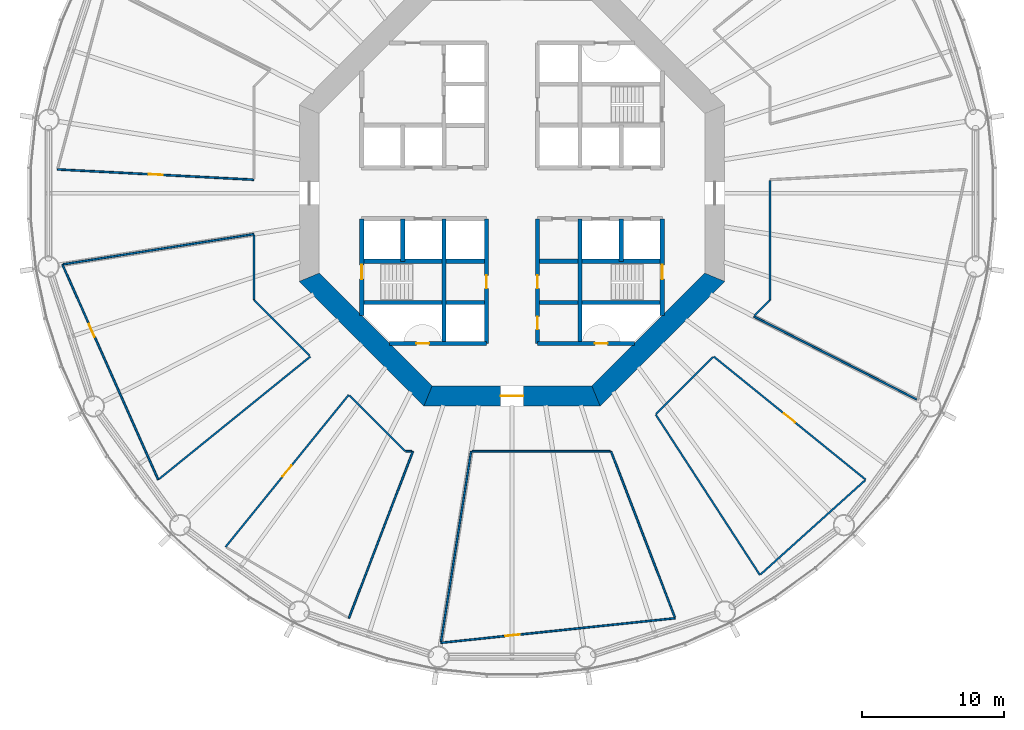
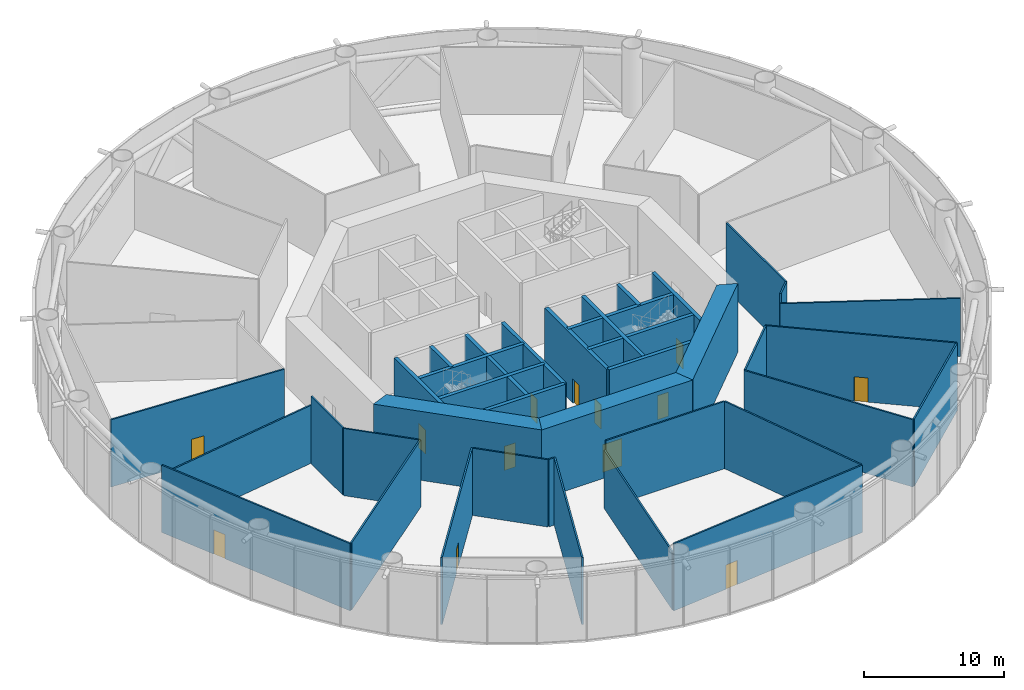
# One storey, part 4 of 14: 38 walls, 13 doors, 13 openings.
"""IFC4 building model written with IfcOpenShell, lengths in metres."""

from ifc_helpers import new_model, si_unit, direction, frame, frame_2d, origin, place, context, subcontext, project, spatial, polyline, rectangle, outline, extrude, material, layer, layer_set, type_object, element, fill, save


model = new_model("IFC4")

# Units and contexts
model_context = context("Model", 3, precision=1e-05, world=origin(), true_north=direction((0.0, 1.0)))
body_context = subcontext(model_context, "Body", "Model", "MODEL_VIEW")
ifc_project = project(units=[si_unit("LENGTHUNIT", "METRE"), si_unit("AREAUNIT", "SQUARE_METRE"), si_unit("VOLUMEUNIT", "CUBIC_METRE"), si_unit("PLANEANGLEUNIT", "RADIAN"), si_unit("MASSUNIT", "GRAM", prefix="KILO")], contexts=[model_context])

# Site, building, storey
site_placement = place(None, origin())
site = spatial("IfcSite", under=ifc_project, at=site_placement, CompositionType="ELEMENT")
building_placement = place(site_placement, origin())
building = spatial("IfcBuilding", under=site, at=building_placement, Name="Entoto Ring Tower", CompositionType="ELEMENT")
storey_placement = place(building_placement, frame((0.0, 0.0, 12.0)))
storey = spatial("IfcBuildingStorey", under=building, at=storey_placement, Name="L01", CompositionType="ELEMENT", Elevation=12.0)

# Wall, opening, door
ifc_material_1 = material(Name="Concrete C40/50", Category="concrete")
ifc_layer_1 = layer(ifc_material_1, 0.300048828125)
ifc_layer_set_1 = layer_set([ifc_layer_1], Name="Concrete C40/50")
wall_type_1 = type_object("IfcWallType", Name="Core enclosure wall 300 mm reinforced concrete", PredefinedType="SOLIDWALL", material=ifc_layer_set_1)
wall_1_placement = place(storey_placement, frame((100.60009765625, 71.36669921875, 0.0), z_axis=(0.0, 0.0, 1.0), x_axis=(0.0, 1.0, 0.0)))
wall_1 = element("IfcWall", 1, at=wall_1_placement, inside=storey, type_object=wall_type_1, Name="wall-L01-001", PredefinedType="SOLIDWALL", context=body_context, shape_type="SweptSolid", body=[
    extrude(rectangle(XDim=6.833251953125, YDim=0.300048828125, at=frame_2d((3.41650390625, 0.0))), origin(), (0.0, 0.0, 1.0), 5.85009765625),
])
opening_1_placement = place(wall_1_placement, frame((2.583251953125, 0.0, 0.0)))
opening_1 = element("IfcOpeningElement", 2, at=opening_1_placement, cuts=wall_1, Name="Opening K-61", PredefinedType="OPENING", context=body_context, shape_type="SweptSolid", body=[
    extrude(rectangle(XDim=1.0, YDim=2.10009765625, at=frame_2d((0.5, 1.050048828125))), frame((0.0, 0.16015625, 0.0), z_axis=(0.0, -1.0, 0.0), x_axis=(1.0, 0.0, 0.0)), (0.0, 0.0, 1.0), 0.320068359375),
])
ifc_material_2 = material(Name="Steel door leaf, fire rated", Category="steel")
ifc_layer_2 = layer(ifc_material_2, 0.050048828125)
ifc_layer_set_2 = layer_set([ifc_layer_2], Name="Steel door leaf, fire rated")
door_type_1 = type_object("IfcDoorType", Name="Fire door FD60 1000 x 2100 single leaf", OperationType="NOTDEFINED", PredefinedType="DOOR", material=ifc_layer_set_2)
door_1_placement = place(opening_1_placement, origin())
door_1 = element("IfcDoor", 3, at=door_1_placement, inside=storey, type_object=door_type_1, Name="Door K-61", OperationType="SINGLE_SWING_RIGHT", OverallHeight=2.10009765625, OverallWidth=1.0, PredefinedType="DOOR", context=body_context, shape_type="SweptSolid", body=[
    extrude(rectangle(XDim=1.0, YDim=2.10009765625, at=frame_2d((0.5, 1.050048828125))), frame((0.0, 0.02490234375, 0.0), z_axis=(0.0, -1.0, 0.0), x_axis=(1.0, 0.0, 0.0)), (0.0, 0.0, 1.0), 0.050048828125),
])
fill(opening_1, door_1)

# Walls
wall_2_placement = place(storey_placement, frame((97.699951171875, 75.199951171875, 0.0), z_axis=(0.0, 0.0, 1.0), x_axis=(0.0, 1.0, 0.0)))
element("IfcWall", 4, at=wall_2_placement, inside=storey, type_object=wall_type_1, Name="wall-L01-003", PredefinedType="SOLIDWALL", context=body_context, shape_type="SweptSolid", body=[
    extrude(rectangle(XDim=3.0, YDim=0.300048828125, at=frame_2d((1.5, 0.0))), origin(), (0.0, 0.0, 1.0), 5.85009765625),
])
wall_3_placement = place(storey_placement, frame((94.800048828125, 69.39990234375, 0.0), z_axis=(0.0, 0.0, 1.0), x_axis=(0.0, 1.0, 0.0)))
element("IfcWall", 5, at=wall_3_placement, inside=storey, type_object=wall_type_1, Name="wall-L01-005", PredefinedType="SOLIDWALL", context=body_context, shape_type="SweptSolid", body=[
    extrude(rectangle(XDim=8.800048828125, YDim=0.300048828125, at=frame_2d((4.39990234375, 0.0))), origin(), (0.0, 0.0, 1.0), 5.85009765625),
])

# Wall, openings, doors
wall_4_placement = place(storey_placement, frame((91.800048828125, 69.39990234375, 0.0), z_axis=(0.0, 0.0, 1.0), x_axis=(0.0, 1.0, 0.0)))
wall_4 = element("IfcWall", 6, at=wall_4_placement, inside=storey, type_object=wall_type_1, Name="wall-L01-007", PredefinedType="SOLIDWALL", context=body_context, shape_type="SweptSolid", body=[
    extrude(rectangle(XDim=8.800048828125, YDim=0.300048828125, at=frame_2d((4.39990234375, 0.0))), origin(), (0.0, 0.0, 1.0), 5.85009765625),
])
opening_2_placement = place(wall_4_placement, frame((3.89990234375, 0.0, 0.0)))
opening_2 = element("IfcOpeningElement", 7, at=opening_2_placement, cuts=wall_4, Name="Opening K-12", PredefinedType="OPENING", context=body_context, shape_type="SweptSolid", body=[
    extrude(rectangle(XDim=0.89990234375, YDim=2.10009765625, at=frame_2d((0.449951171875, 1.050048828125))), frame((0.0, 0.16015625, 0.0), z_axis=(0.0, -1.0, 0.0), x_axis=(1.0, 0.0, 0.0)), (0.0, 0.0, 1.0), 0.320068359375),
])
opening_3_placement = place(wall_4_placement, frame((1.0, 0.0, 0.0)))
opening_3 = element("IfcOpeningElement", 8, at=opening_3_placement, cuts=wall_4, Name="Opening K-46", PredefinedType="OPENING", context=body_context, shape_type="SweptSolid", body=[
    extrude(rectangle(XDim=0.89990234375, YDim=2.10009765625, at=frame_2d((0.449951171875, 1.050048828125))), frame((0.0, 0.16015625, 0.0), z_axis=(0.0, -1.0, 0.0), x_axis=(1.0, 0.0, 0.0)), (0.0, 0.0, 1.0), 0.320068359375),
])
ifc_material_3 = material(Name="Steel door leaf, fire rated", Category="steel")
ifc_layer_3 = layer(ifc_material_3, 0.050048828125)
ifc_layer_set_3 = layer_set([ifc_layer_3], Name="Steel door leaf, fire rated")
door_type_2 = type_object("IfcDoorType", Name="Core door 900 x 2100 single leaf", OperationType="NOTDEFINED", PredefinedType="DOOR", material=ifc_layer_set_3)
door_2_placement = place(opening_2_placement, frame((0.89990234375, 0.0, 0.0), z_axis=(0.0, 0.0, 1.0), x_axis=(-1.0, 0.0, 0.0)))
door_2 = element("IfcDoor", 9, at=door_2_placement, inside=storey, type_object=door_type_2, Name="Door K-12", OperationType="SINGLE_SWING_LEFT", OverallHeight=2.10009765625, OverallWidth=0.89990234375, PredefinedType="DOOR", context=body_context, shape_type="SweptSolid", body=[
    extrude(rectangle(XDim=0.89990234375, YDim=2.10009765625, at=frame_2d((0.449951171875, 1.050048828125))), frame((0.0, 0.02490234375, 0.0), z_axis=(0.0, -1.0, 0.0), x_axis=(1.0, 0.0, 0.0)), (0.0, 0.0, 1.0), 0.050048828125),
])
fill(opening_2, door_2)
door_3_placement = place(opening_3_placement, frame((0.89990234375, 0.0, 0.0), z_axis=(0.0, 0.0, 1.0), x_axis=(-1.0, 0.0, 0.0)))
door_3 = element("IfcDoor", 10, at=door_3_placement, inside=storey, type_object=door_type_2, Name="Door K-46", OperationType="SINGLE_SWING_LEFT", OverallHeight=2.10009765625, OverallWidth=0.89990234375, PredefinedType="DOOR", context=body_context, shape_type="SweptSolid", body=[
    extrude(rectangle(XDim=0.89990234375, YDim=2.10009765625, at=frame_2d((0.449951171875, 1.050048828125))), frame((0.0, 0.02490234375, 0.0), z_axis=(0.0, -1.0, 0.0), x_axis=(1.0, 0.0, 0.0)), (0.0, 0.0, 1.0), 0.050048828125),
])
fill(opening_3, door_3)

# Wall, opening, door
wall_5_placement = place(storey_placement, frame((88.199951171875, 69.39990234375, 0.0), z_axis=(0.0, 0.0, 1.0), x_axis=(0.0, 1.0, 0.0)))
wall_5 = element("IfcWall", 11, at=wall_5_placement, inside=storey, type_object=wall_type_1, Name="wall-L01-009", PredefinedType="SOLIDWALL", context=body_context, shape_type="SweptSolid", body=[
    extrude(rectangle(XDim=8.800048828125, YDim=0.300048828125, at=frame_2d((4.39990234375, 0.0))), origin(), (0.0, 0.0, 1.0), 5.85009765625),
])
opening_4_placement = place(wall_5_placement, frame((3.89990234375, 0.0, 0.0)))
opening_4 = element("IfcOpeningElement", 12, at=opening_4_placement, cuts=wall_5, Name="Opening K-14", PredefinedType="OPENING", context=body_context, shape_type="SweptSolid", body=[
    extrude(rectangle(XDim=0.89990234375, YDim=2.10009765625, at=frame_2d((0.449951171875, 1.050048828125))), frame((0.0, 0.16015625, 0.0), z_axis=(0.0, -1.0, 0.0), x_axis=(1.0, 0.0, 0.0)), (0.0, 0.0, 1.0), 0.320068359375),
])
door_4_placement = place(opening_4_placement, origin())
door_4 = element("IfcDoor", 13, at=door_4_placement, inside=storey, type_object=door_type_2, Name="Door K-14", OperationType="SINGLE_SWING_RIGHT", OverallHeight=2.10009765625, OverallWidth=0.89990234375, PredefinedType="DOOR", context=body_context, shape_type="SweptSolid", body=[
    extrude(rectangle(XDim=0.89990234375, YDim=2.10009765625, at=frame_2d((0.449951171875, 1.050048828125))), frame((0.0, 0.02490234375, 0.0), z_axis=(0.0, -1.0, 0.0), x_axis=(1.0, 0.0, 0.0)), (0.0, 0.0, 1.0), 0.050048828125),
])
fill(opening_4, door_4)

# Walls
wall_6_placement = place(storey_placement, frame((85.199951171875, 69.39990234375, 0.0), z_axis=(0.0, 0.0, 1.0), x_axis=(0.0, 1.0, 0.0)))
element("IfcWall", 14, at=wall_6_placement, inside=storey, type_object=wall_type_1, Name="wall-L01-011", PredefinedType="SOLIDWALL", context=body_context, shape_type="SweptSolid", body=[
    extrude(rectangle(XDim=8.800048828125, YDim=0.300048828125, at=frame_2d((4.39990234375, 0.0))), origin(), (0.0, 0.0, 1.0), 5.85009765625),
])
wall_7_placement = place(storey_placement, frame((82.300048828125, 75.199951171875, 0.0), z_axis=(0.0, 0.0, 1.0), x_axis=(0.0, 1.0, 0.0)))
element("IfcWall", 15, at=wall_7_placement, inside=storey, type_object=wall_type_1, Name="wall-L01-013", PredefinedType="SOLIDWALL", context=body_context, shape_type="SweptSolid", body=[
    extrude(rectangle(XDim=3.0, YDim=0.300048828125, at=frame_2d((1.5, 0.0))), origin(), (0.0, 0.0, 1.0), 5.85009765625),
])

# Wall, opening, door
wall_8_placement = place(storey_placement, frame((79.39990234375, 71.36669921875, 0.0), z_axis=(0.0, 0.0, 1.0), x_axis=(0.0, 1.0, 0.0)))
wall_8 = element("IfcWall", 16, at=wall_8_placement, inside=storey, type_object=wall_type_1, Name="wall-L01-015", PredefinedType="SOLIDWALL", context=body_context, shape_type="SweptSolid", body=[
    extrude(rectangle(XDim=6.833251953125, YDim=0.300048828125, at=frame_2d((3.41650390625, 0.0))), origin(), (0.0, 0.0, 1.0), 5.85009765625),
])
opening_5_placement = place(wall_8_placement, frame((2.583251953125, 0.0, 0.0)))
opening_5 = element("IfcOpeningElement", 17, at=opening_5_placement, cuts=wall_8, Name="Opening K-59", PredefinedType="OPENING", context=body_context, shape_type="SweptSolid", body=[
    extrude(rectangle(XDim=1.0, YDim=2.10009765625, at=frame_2d((0.5, 1.050048828125))), frame((0.0, 0.16015625, 0.0), z_axis=(0.0, -1.0, 0.0), x_axis=(1.0, 0.0, 0.0)), (0.0, 0.0, 1.0), 0.320068359375),
])
door_5_placement = place(opening_5_placement, frame((1.0, 0.0, 0.0), z_axis=(0.0, 0.0, 1.0), x_axis=(-1.0, 0.0, 0.0)))
door_5 = element("IfcDoor", 18, at=door_5_placement, inside=storey, type_object=door_type_1, Name="Door K-59", OperationType="SINGLE_SWING_LEFT", OverallHeight=2.10009765625, OverallWidth=1.0, PredefinedType="DOOR", context=body_context, shape_type="SweptSolid", body=[
    extrude(rectangle(XDim=1.0, YDim=2.10009765625, at=frame_2d((0.5, 1.050048828125))), frame((0.0, 0.02490234375, 0.0), z_axis=(0.0, -1.0, 0.0), x_axis=(1.0, 0.0, 0.0)), (0.0, 0.0, 1.0), 0.050048828125),
])
fill(opening_5, door_5)

wall_9_placement = place(storey_placement, frame((81.36669921875, 69.39990234375, 0.0), z_axis=(0.0, 0.0, 1.0), x_axis=(1.0, 0.0, 0.0)))
wall_9 = element("IfcWall", 19, at=wall_9_placement, inside=storey, type_object=wall_type_1, Name="wall-L01-017", PredefinedType="SOLIDWALL", context=body_context, shape_type="SweptSolid", body=[
    extrude(rectangle(XDim=6.833251953125, YDim=0.300048828125, at=frame_2d((3.41650390625, 0.0))), origin(), (0.0, 0.0, 1.0), 5.85009765625),
])
opening_6_placement = place(wall_9_placement, frame((1.88330078125, 0.0, 0.0)))
opening_6 = element("IfcOpeningElement", 20, at=opening_6_placement, cuts=wall_9, Name="Opening K-66", PredefinedType="OPENING", context=body_context, shape_type="SweptSolid", body=[
    extrude(rectangle(XDim=0.89990234375, YDim=2.10009765625, at=frame_2d((0.449951171875, 1.050048828125))), frame((0.0, 0.16015625, 0.0), z_axis=(0.0, -1.0, 0.0), x_axis=(1.0, 0.0, 0.0)), (0.0, 0.0, 1.0), 0.320068359375),
])
ifc_material_4 = material(Name="Steel door leaf, fire rated", Category="steel")
ifc_layer_4 = layer(ifc_material_4, 0.050048828125)
ifc_layer_set_4 = layer_set([ifc_layer_4], Name="Steel door leaf, fire rated")
door_type_3 = type_object("IfcDoorType", Name="Riser door FD60 900 x 2100 single leaf", OperationType="NOTDEFINED", PredefinedType="DOOR", material=ifc_layer_set_4)
door_6_placement = place(opening_6_placement, origin())
door_6 = element("IfcDoor", 21, at=door_6_placement, inside=storey, type_object=door_type_3, Name="Door K-66", OperationType="SINGLE_SWING_RIGHT", OverallHeight=2.10009765625, OverallWidth=0.89990234375, PredefinedType="DOOR", context=body_context, shape_type="SweptSolid", body=[
    extrude(rectangle(XDim=0.89990234375, YDim=2.10009765625, at=frame_2d((0.449951171875, 1.050048828125))), frame((0.0, 0.02490234375, 0.0), z_axis=(0.0, -1.0, 0.0), x_axis=(1.0, 0.0, 0.0)), (0.0, 0.0, 1.0), 0.050048828125),
])
fill(opening_6, door_6)

wall_10_placement = place(storey_placement, frame((91.800048828125, 69.39990234375, 0.0), z_axis=(0.0, 0.0, 1.0), x_axis=(1.0, 0.0, 0.0)))
wall_10 = element("IfcWall", 22, at=wall_10_placement, inside=storey, type_object=wall_type_1, Name="wall-L01-018", PredefinedType="SOLIDWALL", context=body_context, shape_type="SweptSolid", body=[
    extrude(rectangle(XDim=6.833251953125, YDim=0.300048828125, at=frame_2d((3.41650390625, 0.0))), origin(), (0.0, 0.0, 1.0), 5.85009765625),
])
opening_7_placement = place(wall_10_placement, frame((4.050048828125, 0.0, 0.0)))
opening_7 = element("IfcOpeningElement", 23, at=opening_7_placement, cuts=wall_10, Name="Opening K-68", PredefinedType="OPENING", context=body_context, shape_type="SweptSolid", body=[
    extrude(rectangle(XDim=0.89990234375, YDim=2.10009765625, at=frame_2d((0.449951171875, 1.050048828125))), frame((0.0, 0.16015625, 0.0), z_axis=(0.0, -1.0, 0.0), x_axis=(1.0, 0.0, 0.0)), (0.0, 0.0, 1.0), 0.320068359375),
])
door_7_placement = place(opening_7_placement, origin())
door_7 = element("IfcDoor", 24, at=door_7_placement, inside=storey, type_object=door_type_3, Name="Door K-68", OperationType="SINGLE_SWING_LEFT", OverallHeight=2.10009765625, OverallWidth=0.89990234375, PredefinedType="DOOR", context=body_context, shape_type="SweptSolid", body=[
    extrude(rectangle(XDim=0.89990234375, YDim=2.10009765625, at=frame_2d((0.449951171875, 1.050048828125))), frame((0.0, 0.02490234375, 0.0), z_axis=(0.0, -1.0, 0.0), x_axis=(1.0, 0.0, 0.0)), (0.0, 0.0, 1.0), 0.050048828125),
])
fill(opening_7, door_7)

# Walls
for number, where, z_axis, x_axis, name in (
    (25, (79.39990234375, 72.300048828125, 0.0), (0.0, 0.0, 1.0), (1.0, 0.0, 0.0), "wall-L01-019"),
    (26, (91.800048828125, 72.300048828125, 0.0), (0.0, 0.0, 1.0), (1.0, 0.0, 0.0), "wall-L01-020"),
    (27, (79.39990234375, 75.199951171875, 0.0), (0.0, 0.0, 1.0), (1.0, 0.0, 0.0), "wall-L01-021"),
    (28, (91.800048828125, 75.199951171875, 0.0), (0.0, 0.0, 1.0), (1.0, 0.0, 0.0), "wall-L01-022"),
):
    element("IfcWall", number, at=place(storey_placement, frame(where, z_axis=z_axis, x_axis=x_axis)), inside=storey, type_object=wall_type_1, Name=name, PredefinedType="SOLIDWALL", context=body_context, shape_type="SweptSolid", body=[
        extrude(rectangle(XDim=8.800048828125, YDim=0.300048828125, at=frame_2d((4.39990234375, 0.0))), origin(), (0.0, 0.0, 1.0), 5.85009765625),
    ])
ifc_material_5 = material(Name="Concrete C60/75", Category="concrete")
ifc_layer_5 = layer(ifc_material_5, 1.39990234375)
ifc_layer_set_5 = layer_set([ifc_layer_5], Name="Concrete C60/75")
wall_type_2 = type_object("IfcWallType", Name="Core shear wall 1400 mm reinforced concrete C60/75", PredefinedType="SHEAR", material=ifc_layer_set_5)
wall_11_placement = place(storey_placement, frame((75.699951171875, 74.07666015625, 0.0), z_axis=(0.0, 0.0, 1.0), x_axis=(0.707106781187, -0.707106781187, 0.0)))
element("IfcWall", 29, at=wall_11_placement, inside=storey, type_object=wall_type_2, Name="wall-L01-core-5", PredefinedType="SHEAR", context=body_context, shape_type="SweptSolid", body=[
    extrude(outline(polyline([(-0.2900390625, -0.699951171875), (12.136474609375, -0.699951171875), (11.556396484375, 0.699951171875), (0.2900390625, 0.699951171875), (-0.2900390625, -0.699951171875)])), origin(), (0.0, 0.0, 1.0), 6.0),
])

# Wall, opening, door
wall_12_placement = place(storey_placement, frame((84.07666015625, 65.699951171875, 0.0), z_axis=(0.0, 0.0, 1.0), x_axis=(1.0, 0.0, 0.0)))
wall_12 = element("IfcWall", 30, at=wall_12_placement, inside=storey, type_object=wall_type_2, Name="wall-L01-core-6", PredefinedType="SHEAR", context=body_context, shape_type="SweptSolid", body=[
    extrude(outline(polyline([(-0.2900390625, -0.699951171875), (12.13671875, -0.699951171875), (11.556640625, 0.699951171875), (0.2900390625, 0.699951171875), (-0.2900390625, -0.699951171875)])), origin(), (0.0, 0.0, 1.0), 6.0),
])
opening_8_placement = place(wall_12_placement, frame((5.123291015625, 0.0, 0.0)))
opening_8 = element("IfcOpeningElement", 31, at=opening_8_placement, cuts=wall_12, Name="Opening K-04", PredefinedType="OPENING", context=body_context, shape_type="SweptSolid", body=[
    extrude(rectangle(XDim=1.60009765625, YDim=2.39990234375, at=frame_2d((0.800048828125, 1.199951171875))), frame((0.0, 0.7099609375, 0.0), z_axis=(0.0, -1.0, 0.0), x_axis=(1.0, 0.0, 0.0)), (0.0, 0.0, 1.0), 1.419921875),
])
ifc_material_6 = material(Name="Steel door leaf, fire rated", Category="steel")
ifc_layer_6 = layer(ifc_material_6, 0.050048828125)
ifc_layer_set_6 = layer_set([ifc_layer_6], Name="Steel door leaf, fire rated")
door_type_4 = type_object("IfcDoorType", Name="Entrance door FD60 1600 x 2400 double leaf", OperationType="DOUBLE_DOOR_SINGLE_SWING", PredefinedType="DOOR", material=ifc_layer_set_6)
door_8_placement = place(opening_8_placement, origin())
door_8 = element("IfcDoor", 32, at=door_8_placement, inside=storey, type_object=door_type_4, Name="Entrance door K-04", OperationType="DOUBLE_DOOR_SINGLE_SWING", OverallHeight=2.39990234375, OverallWidth=1.60009765625, PredefinedType="DOOR", context=body_context, shape_type="SweptSolid", body=[
    extrude(rectangle(XDim=1.60009765625, YDim=2.39990234375, at=frame_2d((0.800048828125, 1.199951171875))), frame((0.0, 0.02490234375, 0.0), z_axis=(0.0, -1.0, 0.0), x_axis=(1.0, 0.0, 0.0)), (0.0, 0.0, 1.0), 0.050048828125),
])
fill(opening_8, door_8)

# Wall
wall_13_placement = place(storey_placement, frame((95.92333984375, 65.699951171875, 0.0), z_axis=(0.0, 0.0, 1.0), x_axis=(0.707106781187, 0.707106781187, 0.0)))
element("IfcWall", 33, at=wall_13_placement, inside=storey, type_object=wall_type_2, Name="wall-L01-core-7", PredefinedType="SHEAR", context=body_context, shape_type="SweptSolid", body=[
    extrude(outline(polyline([(-0.2900390625, -0.699951171875), (12.136474609375, -0.699951171875), (11.556396484375, 0.699951171875), (0.2900390625, 0.699951171875), (-0.2900390625, -0.699951171875)])), origin(), (0.0, 0.0, 1.0), 6.0),
])

# Wall, opening, door
ifc_material_7 = material(Name="Fire-resisting plasterboard on steel studs", Category="steel")
ifc_layer_7 = layer(ifc_material_7, 0.125)
ifc_layer_set_7 = layer_set([ifc_layer_7], Name="Fire-resisting plasterboard on steel studs")
wall_type_3 = type_object("IfcWallType", Name="Corridor wall 125 mm one-hour plasterboard on steel studs", PredefinedType="PARTITIONING", material=ifc_layer_set_7)
wall_14_placement = place(storey_placement, frame((65.0537109375, 59.798828125, 0.0), z_axis=(0.0, 0.0, 1.0), x_axis=(-0.406742299134, 0.913542939382, 0.0)))
wall_14 = element("IfcWall", 34, at=wall_14_placement, inside=storey, type_object=wall_type_3, Name="partition-L01-001", PredefinedType="PARTITIONING", context=body_context, shape_type="SweptSolid", body=[
    extrude(rectangle(XDim=16.6162109375, YDim=0.125, at=frame_2d((8.30810546875, 0.0))), origin(), (0.0, 0.0, 1.0), 5.85009765625),
])
opening_9_placement = place(wall_14_placement, frame((11.02734375, 0.0, 0.0)))
opening_9 = element("IfcOpeningElement", 35, at=opening_9_placement, cuts=wall_14, Name="Opening A01-D06", PredefinedType="OPENING", context=body_context, shape_type="SweptSolid", body=[
    extrude(rectangle(XDim=1.0, YDim=2.10009765625, at=frame_2d((0.5, 1.050048828125))), frame((0.0, 0.072509765625, 0.0), z_axis=(0.0, -1.0, 0.0), x_axis=(1.0, 0.0, 0.0)), (0.0, 0.0, 1.0), 0.14501953125),
])
ifc_material_8 = material(Name="Fire-resisting timber door set", Category="wood")
door_type_5 = type_object("IfcDoorType", Name="Door 1000 x 2100 single leaf FD30S fire door", OperationType="NOTDEFINED", PredefinedType="DOOR", material=ifc_material_8)
door_9_placement = place(opening_9_placement, frame((1.0, 0.0, 0.0), z_axis=(0.0, 0.0, 1.0), x_axis=(-1.0, 0.0, 0.0)))
door_9 = element("IfcDoor", 36, at=door_9_placement, inside=storey, type_object=door_type_5, Name="Door A01-D06", OperationType="SINGLE_SWING_LEFT", OverallHeight=2.10009765625, OverallWidth=1.0, PredefinedType="DOOR", context=body_context, shape_type="SweptSolid", body=[
    extrude(rectangle(XDim=1.0, YDim=2.10009765625, at=frame_2d((0.5, 1.050048828125))), frame((0.0, 0.02490234375, 0.0), z_axis=(0.0, -1.0, 0.0), x_axis=(1.0, 0.0, 0.0)), (0.0, 0.0, 1.0), 0.050048828125),
])
fill(opening_9, door_9)

wall_15_placement = place(storey_placement, frame((84.978515625, 48.295166015625, 0.0), z_axis=(0.0, 0.0, 1.0), x_axis=(0.994522186143, 0.104525696695, 0.0)))
wall_15 = element("IfcWall", 37, at=wall_15_placement, inside=storey, type_object=wall_type_3, Name="partition-L01-003", PredefinedType="PARTITIONING", context=body_context, shape_type="SweptSolid", body=[
    extrude(rectangle(XDim=16.6162109375, YDim=0.125, at=frame_2d((8.30810546875, 0.0))), origin(), (0.0, 0.0, 1.0), 5.85009765625),
])
opening_10_placement = place(wall_15_placement, frame((4.5888671875, 0.0, 0.0)))
opening_10 = element("IfcOpeningElement", 38, at=opening_10_placement, cuts=wall_15, Name="Opening A01-D08", PredefinedType="OPENING", context=body_context, shape_type="SweptSolid", body=[
    extrude(rectangle(XDim=1.0, YDim=2.10009765625, at=frame_2d((0.5, 1.050048828125))), frame((0.0, 0.072509765625, 0.0), z_axis=(0.0, -1.0, 0.0), x_axis=(1.0, 0.0, 0.0)), (0.0, 0.0, 1.0), 0.14501953125),
])
door_10_placement = place(opening_10_placement, origin())
door_10 = element("IfcDoor", 39, at=door_10_placement, inside=storey, type_object=door_type_5, Name="Door A01-D08", OperationType="SINGLE_SWING_LEFT", OverallHeight=2.10009765625, OverallWidth=1.0, PredefinedType="DOOR", context=body_context, shape_type="SweptSolid", body=[
    extrude(rectangle(XDim=1.0, YDim=2.10009765625, at=frame_2d((0.5, 1.050048828125))), frame((0.0, 0.02490234375, 0.0), z_axis=(0.0, -1.0, 0.0), x_axis=(1.0, 0.0, 0.0)), (0.0, 0.0, 1.0), 0.050048828125),
])
fill(opening_10, door_10)

wall_16_placement = place(storey_placement, frame((71.800048828125, 80.953857421875, 0.0), z_axis=(0.0, 0.0, 1.0), x_axis=(-0.998629857622, 0.052329795196, 0.0)))
wall_16 = element("IfcWall", 40, at=wall_16_placement, inside=storey, type_object=wall_type_3, Name="partition-L01-004", PredefinedType="PARTITIONING", context=body_context, shape_type="SweptSolid", body=[
    extrude(rectangle(XDim=13.875, YDim=0.125, at=frame_2d((6.9375, 0.0))), origin(), (0.0, 0.0, 1.0), 5.85009765625),
])
opening_11_placement = place(wall_16_placement, frame((6.4375, 0.0, 0.0)))
opening_11 = element("IfcOpeningElement", 41, at=opening_11_placement, cuts=wall_16, Name="Opening A01-D05", PredefinedType="OPENING", context=body_context, shape_type="SweptSolid", body=[
    extrude(rectangle(XDim=1.0, YDim=2.10009765625, at=frame_2d((0.5, 1.050048828125))), frame((0.0, 0.072509765625, 0.0), z_axis=(0.0, -1.0, 0.0), x_axis=(1.0, 0.0, 0.0)), (0.0, 0.0, 1.0), 0.14501953125),
])
door_11_placement = place(opening_11_placement, frame((1.0, 0.0, 0.0), z_axis=(0.0, 0.0, 1.0), x_axis=(-1.0, 0.0, 0.0)))
door_11 = element("IfcDoor", 42, at=door_11_placement, inside=storey, type_object=door_type_5, Name="Door A01-D05", OperationType="SINGLE_SWING_LEFT", OverallHeight=2.10009765625, OverallWidth=1.0, PredefinedType="DOOR", context=body_context, shape_type="SweptSolid", body=[
    extrude(rectangle(XDim=1.0, YDim=2.10009765625, at=frame_2d((0.5, 1.050048828125))), frame((0.0, 0.02490234375, 0.0), z_axis=(0.0, -1.0, 0.0), x_axis=(1.0, 0.0, 0.0)), (0.0, 0.0, 1.0), 0.050048828125),
])
fill(opening_11, door_11)

# Wall
wall_17_placement = place(storey_placement, frame((65.11669921875, 59.85009765625, 0.0), z_axis=(0.0, 0.0, 1.0), x_axis=(0.777149955985, 0.629315458186, 0.0)))
element("IfcWall", 43, at=wall_17_placement, inside=storey, type_object=wall_type_3, Name="partition-L01-006", PredefinedType="PARTITIONING", context=body_context, shape_type="SweptSolid", body=[
    extrude(rectangle(XDim=13.718505859375, YDim=0.125, at=frame_2d((6.859375, 0.0))), origin(), (0.0, 0.0, 1.0), 5.85009765625),
])

# Wall, opening, door
wall_18_placement = place(storey_placement, frame((69.798828125, 55.0537109375, 0.0), z_axis=(0.0, 0.0, 1.0), x_axis=(0.629326981236, 0.777140624783, 0.0)))
wall_18 = element("IfcWall", 44, at=wall_18_placement, inside=storey, type_object=wall_type_3, Name="partition-L01-007", PredefinedType="PARTITIONING", context=body_context, shape_type="SweptSolid", body=[
    extrude(rectangle(XDim=13.7998046875, YDim=0.125, at=frame_2d((6.89990234375, 0.0))), origin(), (0.0, 0.0, 1.0), 5.85009765625),
])
opening_12_placement = place(wall_18_placement, frame((6.39990234375, 0.0, 0.0)))
opening_12 = element("IfcOpeningElement", 45, at=opening_12_placement, cuts=wall_18, Name="Opening A01-D07", PredefinedType="OPENING", context=body_context, shape_type="SweptSolid", body=[
    extrude(rectangle(XDim=1.0, YDim=2.10009765625, at=frame_2d((0.5, 1.050048828125))), frame((0.0, 0.072509765625, 0.0), z_axis=(0.0, -1.0, 0.0), x_axis=(1.0, 0.0, 0.0)), (0.0, 0.0, 1.0), 0.14501953125),
])
door_12_placement = place(opening_12_placement, frame((1.0, 0.0, 0.0), z_axis=(0.0, 0.0, 1.0), x_axis=(-1.0, 0.0, 0.0)))
door_12 = element("IfcDoor", 46, at=door_12_placement, inside=storey, type_object=door_type_5, Name="Door A01-D07", OperationType="SINGLE_SWING_RIGHT", OverallHeight=2.10009765625, OverallWidth=1.0, PredefinedType="DOOR", context=body_context, shape_type="SweptSolid", body=[
    extrude(rectangle(XDim=1.0, YDim=2.10009765625, at=frame_2d((0.5, 1.050048828125))), frame((0.0, 0.02490234375, 0.0), z_axis=(0.0, -1.0, 0.0), x_axis=(1.0, 0.0, 0.0)), (0.0, 0.0, 1.0), 0.050048828125),
])
fill(opening_12, door_12)

wall_19_placement = place(storey_placement, frame((114.9462890625, 59.798828125, 0.0), z_axis=(0.0, 0.0, 1.0), x_axis=(-0.777140624783, 0.629326981236, 0.0)))
wall_19 = element("IfcWall", 47, at=wall_19_placement, inside=storey, type_object=wall_type_3, Name="partition-L01-011", PredefinedType="PARTITIONING", context=body_context, shape_type="SweptSolid", body=[
    extrude(rectangle(XDim=13.7998046875, YDim=0.125, at=frame_2d((6.89990234375, 0.0))), origin(), (0.0, 0.0, 1.0), 5.85009765625),
])
opening_13_placement = place(wall_19_placement, frame((6.39990234375, 0.0, 0.0)))
opening_13 = element("IfcOpeningElement", 48, at=opening_13_placement, cuts=wall_19, Name="Opening A01-D09", PredefinedType="OPENING", context=body_context, shape_type="SweptSolid", body=[
    extrude(rectangle(XDim=1.0, YDim=2.10009765625, at=frame_2d((0.5, 1.050048828125))), frame((0.0, 0.072509765625, 0.0), z_axis=(0.0, -1.0, 0.0), x_axis=(1.0, 0.0, 0.0)), (0.0, 0.0, 1.0), 0.14501953125),
])
door_13_placement = place(opening_13_placement, origin())
door_13 = element("IfcDoor", 49, at=door_13_placement, inside=storey, type_object=door_type_5, Name="Door A01-D09", OperationType="SINGLE_SWING_LEFT", OverallHeight=2.10009765625, OverallWidth=1.0, PredefinedType="DOOR", context=body_context, shape_type="SweptSolid", body=[
    extrude(rectangle(XDim=1.0, YDim=2.10009765625, at=frame_2d((0.5, 1.050048828125))), frame((0.0, 0.02490234375, 0.0), z_axis=(0.0, -1.0, 0.0), x_axis=(1.0, 0.0, 0.0)), (0.0, 0.0, 1.0), 0.050048828125),
])
fill(opening_13, door_13)

# Walls
wall_20_placement = place(storey_placement, frame((107.48291015625, 53.07861328125, 0.0), z_axis=(0.0, 0.0, 1.0), x_axis=(-0.544639160145, 0.838670486685, 0.0)))
element("IfcWall", 50, at=wall_20_placement, inside=storey, type_object=wall_type_3, Name="partition-L01-015", PredefinedType="PARTITIONING", context=body_context, shape_type="SweptSolid", body=[
    extrude(rectangle(XDim=13.49365234375, YDim=0.125, at=frame_2d((6.746826171875, 0.0))), origin(), (0.0, 0.0, 1.0), 5.85009765625),
])
wall_21_placement = place(storey_placement, frame((78.496337890625, 50.031982421875, 0.0), z_axis=(0.0, 0.0, 1.0), x_axis=(0.358367709556, 0.93358051862, 0.0)))
element("IfcWall", 51, at=wall_21_placement, inside=storey, type_object=wall_type_3, Name="partition-L01-025", PredefinedType="PARTITIONING", context=body_context, shape_type="SweptSolid", body=[
    extrude(rectangle(XDim=12.605224609375, YDim=0.125, at=frame_2d((6.302734375, 0.0))), origin(), (0.0, 0.0, 1.0), 5.85009765625),
])
wall_22_placement = place(storey_placement, frame((101.474609375, 50.10791015625, 0.0), z_axis=(0.0, 0.0, 1.0), x_axis=(-0.358374193428, 0.933578029671, 0.0)))
element("IfcWall", 52, at=wall_22_placement, inside=storey, type_object=wall_type_3, Name="partition-L01-027", PredefinedType="PARTITIONING", context=body_context, shape_type="SweptSolid", body=[
    extrude(rectangle(XDim=12.52392578125, YDim=0.125, at=frame_2d((6.261962890625, 0.0))), origin(), (0.0, 0.0, 1.0), 5.85009765625),
])
wall_23_placement = place(storey_placement, frame((107.537109375, 53.127685546875, 0.0), z_axis=(0.0, 0.0, 1.0), x_axis=(0.743151844797, 0.669122810533, 0.0)))
element("IfcWall", 53, at=wall_23_placement, inside=storey, type_object=wall_type_3, Name="partition-L01-030", PredefinedType="PARTITIONING", context=body_context, shape_type="SweptSolid", body=[
    extrude(rectangle(XDim=9.89697265625, YDim=0.125, at=frame_2d((4.948486328125, 0.0))), origin(), (0.0, 0.0, 1.0), 5.85009765625),
])
wall_24_placement = place(storey_placement, frame((87.17919921875, 61.800048828125, 0.0), z_axis=(0.0, 0.0, 1.0), x_axis=(1.0, 0.0, 0.0)))
element("IfcWall", 54, at=wall_24_placement, inside=storey, type_object=wall_type_3, Name="partition-L01-031", PredefinedType="PARTITIONING", context=body_context, shape_type="SweptSolid", body=[
    extrude(rectangle(XDim=9.748779296875, YDim=0.125, at=frame_2d((4.87451171875, 0.0))), origin(), (0.0, 0.0, 1.0), 5.85009765625),
])
wall_25_placement = place(storey_placement, frame((108.199951171875, 72.461181640625, 0.0), z_axis=(0.0, 0.0, 1.0), x_axis=(0.0, 1.0, 0.0)))
element("IfcWall", 55, at=wall_25_placement, inside=storey, type_object=wall_type_3, Name="partition-L01-032", PredefinedType="PARTITIONING", context=body_context, shape_type="SweptSolid", body=[
    extrude(rectangle(XDim=8.43017578125, YDim=0.125, at=frame_2d((4.215087890625, 0.0))), origin(), (0.0, 0.0, 1.0), 5.85009765625),
])
wall_26_placement = place(storey_placement, frame((100.177001953125, 64.438232421875, 0.0), z_axis=(0.0, 0.0, 1.0), x_axis=(0.707085207596, 0.707128354119, 0.0)))
element("IfcWall", 56, at=wall_26_placement, inside=storey, type_object=wall_type_3, Name="partition-L01-036", PredefinedType="PARTITIONING", context=body_context, shape_type="SweptSolid", body=[
    extrude(rectangle(XDim=5.658447265625, YDim=0.125, at=frame_2d((2.8291015625, 0.0))), origin(), (0.0, 0.0, 1.0), 5.85009765625),
])
for number, where, z_axis, x_axis, name in (
    (57, (75.72900390625, 68.5322265625, 0.0), (0.0, 0.0, 1.0), (-0.707106781187, 0.707106781187, 0.0), "partition-L01-037"),
    (58, (82.461181640625, 61.800048828125, 0.0), (0.0, 0.0, 1.0), (-0.707106781187, 0.707106781187, 0.0), "partition-L01-038"),
):
    element("IfcWall", number, at=place(storey_placement, frame(where, z_axis=z_axis, x_axis=x_axis)), inside=storey, type_object=wall_type_3, Name=name, PredefinedType="PARTITIONING", context=body_context, shape_type="SweptSolid", body=[
        extrude(rectangle(XDim=5.556396484375, YDim=0.125, at=frame_2d((2.7783203125, 0.0))), origin(), (0.0, 0.0, 1.0), 5.85009765625),
    ])
wall_27_placement = place(storey_placement, frame((71.800048828125, 72.50537109375, 0.0), z_axis=(0.0, 0.0, 1.0), x_axis=(0.0, 1.0, 0.0)))
element("IfcWall", 59, at=wall_27_placement, inside=storey, type_object=wall_type_3, Name="partition-L01-041", PredefinedType="PARTITIONING", context=body_context, shape_type="SweptSolid", body=[
    extrude(rectangle(XDim=4.538818359375, YDim=0.125, at=frame_2d((2.26953125, 0.0))), origin(), (0.0, 0.0, 1.0), 5.85009765625),
])
wall_28_placement = place(storey_placement, frame((107.111572265625, 71.372802734375, 0.0), z_axis=(0.0, 0.0, 1.0), x_axis=(0.707106781187, 0.707106781187, 0.0)))
element("IfcWall", 60, at=wall_28_placement, inside=storey, type_object=wall_type_3, Name="partition-L01-044", PredefinedType="PARTITIONING", context=body_context, shape_type="SweptSolid", body=[
    extrude(rectangle(XDim=1.495361328125, YDim=0.125, at=frame_2d((0.74755859375, 0.0))), origin(), (0.0, 0.0, 1.0), 5.85009765625),
])
wall_29_placement = place(storey_placement, frame((82.50537109375, 61.800048828125, 0.0), z_axis=(0.0, 0.0, 1.0), x_axis=(1.0, 0.0, 0.0)))
element("IfcWall", 61, at=wall_29_placement, inside=storey, type_object=wall_type_3, Name="partition-L01-045", PredefinedType="PARTITIONING", context=body_context, shape_type="SweptSolid", body=[
    extrude(rectangle(XDim=0.41748046875, YDim=0.125, at=frame_2d((0.208740234375, 0.0))), origin(), (0.0, 0.0, 1.0), 5.85009765625),
])
ifc_material_9 = material(Name="Fire-resisting plasterboard on steel studs", Category="steel")
ifc_layer_8 = layer(ifc_material_9, 0.125)
ifc_layer_set_8 = layer_set([ifc_layer_8], Name="Fire-resisting plasterboard on steel studs")
wall_type_4 = type_object("IfcWallType", Name="Corridor wall 125 mm one-hour plasterboard on steel studs, 5050 mm high", PredefinedType="PARTITIONING", material=ifc_layer_set_8)
for number, where, z_axis, x_axis, name in (
    (62, (58.37548828125, 74.9912109375, 0.0), (0.0, 0.0, 1.0), (0.987688577107, 0.156432971757, 0.0), "partition-L01-012"),
    (63, (84.9912109375, 48.37548828125, 0.0), (0.0, 0.0, 1.0), (0.156432971757, 0.987688577107, 0.0), "partition-L01-013"),
):
    element("IfcWall", number, at=place(storey_placement, frame(where, z_axis=z_axis, x_axis=x_axis)), inside=storey, type_object=wall_type_4, Name=name, PredefinedType="PARTITIONING", context=body_context, shape_type="SweptSolid", body=[
        extrude(rectangle(XDim=13.591796875, YDim=0.125, at=frame_2d((6.7958984375, 0.0))), origin(), (0.0, 0.0, 1.0), 5.050048828125),
    ])
wall_30_placement = place(storey_placement, frame((118.52880859375, 65.4638671875, 0.0), z_axis=(0.0, 0.0, 1.0), x_axis=(-0.891005216962, 0.453993065307, 0.0)))
element("IfcWall", 64, at=wall_30_placement, inside=storey, type_object=wall_type_4, Name="partition-L01-024", PredefinedType="PARTITIONING", context=body_context, shape_type="SweptSolid", body=[
    extrude(rectangle(XDim=12.882080078125, YDim=0.125, at=frame_2d((6.44091796875, 0.0))), origin(), (0.0, 0.0, 1.0), 5.050048828125),
])

save(model, "model.ifc")
